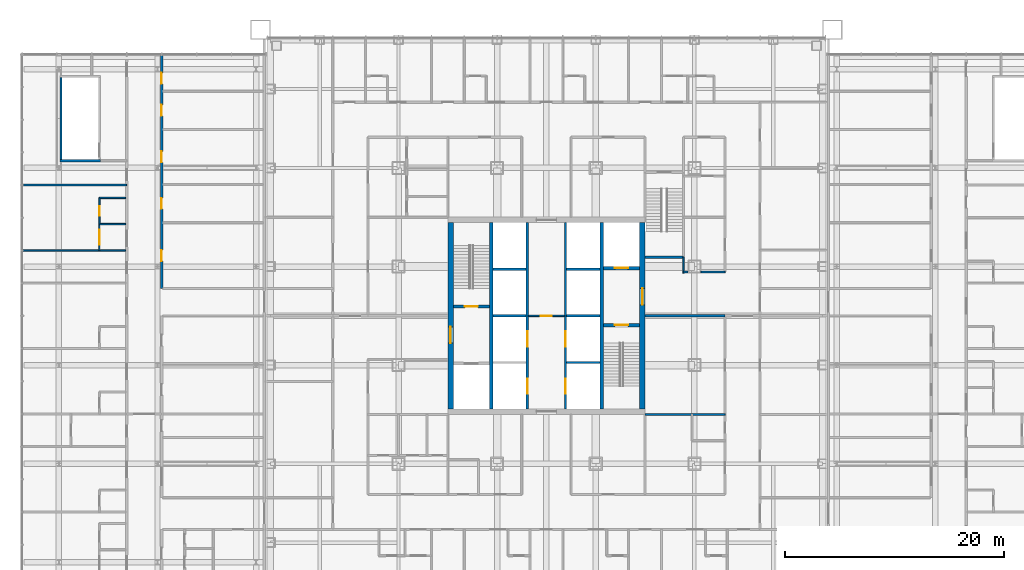
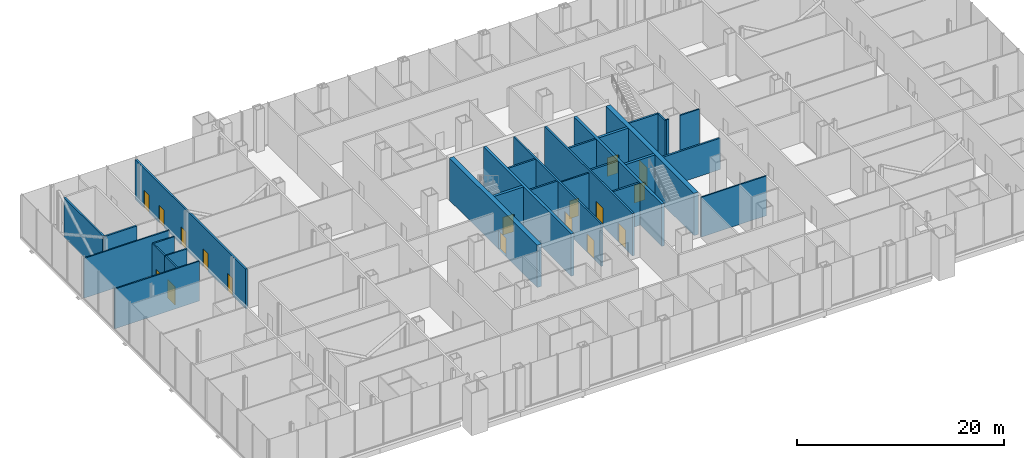
# One storey, part 18 of 28: 30 walls, 17 doors, 17 openings.
"""IFC4 building model written with IfcOpenShell, lengths in metres."""

from ifc_helpers import new_model, si_unit, direction, frame, frame_2d, origin, place, context, subcontext, project, spatial, rectangle, extrude, material, layer, layer_set, type_object, element, fill, save


model = new_model("IFC4")

# Units and contexts
model_context = context("Model", 3, precision=1e-05, world=origin(), true_north=direction((0.0, 1.0)))
body_context = subcontext(model_context, "Body", "Model", "MODEL_VIEW")
ifc_project = project(units=[si_unit("LENGTHUNIT", "METRE"), si_unit("AREAUNIT", "SQUARE_METRE"), si_unit("VOLUMEUNIT", "CUBIC_METRE"), si_unit("PLANEANGLEUNIT", "RADIAN"), si_unit("MASSUNIT", "GRAM", prefix="KILO")], contexts=[model_context])

# Site, building, storey
site_placement = place(None, origin())
site = spatial("IfcSite", under=ifc_project, at=site_placement, CompositionType="ELEMENT")
building_placement = place(site_placement, origin())
building = spatial("IfcBuilding", under=site, at=building_placement, Name="Malebo Sky Hospital", CompositionType="ELEMENT")
storey_placement = place(building_placement, frame((0.0, 0.0, 21.0)))
storey = spatial("IfcBuildingStorey", under=building, at=storey_placement, Name="L04", CompositionType="ELEMENT", Elevation=21.0)

# Wall, openings, doors
ifc_material_1 = material(Name="Concrete C80/95", Category="concrete")
ifc_layer_1 = layer(ifc_material_1, 0.199951171875)
ifc_layer_set_1 = layer_set([ifc_layer_1], Name="CORE INNER WALL 200")
wall_type_1 = type_object("IfcWallType", Name="CORE INNER WALL 200", PredefinedType="SHEAR", material=ifc_layer_set_1)
wall_1_placement = place(storey_placement, frame((58.25, 53.5, 0.0), z_axis=(0.0, 0.0, 1.0), x_axis=(0.0, 1.0, 0.0)))
wall_1 = element("IfcWall", 1, at=wall_1_placement, inside=storey, type_object=wall_type_1, Name="Core wall LW L04", PredefinedType="SHEAR", context=body_context, shape_type="SweptSolid", body=[
    extrude(rectangle(XDim=17.0, YDim=0.199951171875, at=frame_2d((8.5, 0.0))), origin(), (0.0, 0.0, 1.0), 5.0),
])
opening_1_placement = place(wall_1_placement, frame((1.375, 0.0, 0.0)))
opening_1 = element("IfcOpeningElement", 2, at=opening_1_placement, cuts=wall_1, Name="Opening LD1", PredefinedType="OPENING", context=body_context, shape_type="SweptSolid", body=[
    extrude(rectangle(XDim=1.39990234375, YDim=2.199951171875, at=frame_2d((0.699951171875, 1.10009765625))), frame((0.0, 0.10986328125, 0.0), z_axis=(0.0, -1.0, 0.0), x_axis=(1.0, 0.0, 0.0)), (0.0, 0.0, 1.0), 0.219970703125),
])
opening_2_placement = place(wall_1_placement, frame((5.675048828125, 0.0, 0.0)))
opening_2 = element("IfcOpeningElement", 3, at=opening_2_placement, cuts=wall_1, Name="Opening LD1", PredefinedType="OPENING", context=body_context, shape_type="SweptSolid", body=[
    extrude(rectangle(XDim=1.39990234375, YDim=2.199951171875, at=frame_2d((0.699951171875, 1.10009765625))), frame((0.0, 0.10986328125, 0.0), z_axis=(0.0, -1.0, 0.0), x_axis=(1.0, 0.0, 0.0)), (0.0, 0.0, 1.0), 0.219970703125),
])
ifc_material_2 = material(Name="Stainless steel sliding landing door", Category="steel")
door_type_1 = type_object("IfcDoorType", Name="LIFT LANDING DOOR 1400", OperationType="SLIDING_TO_LEFT", PredefinedType="DOOR", material=ifc_material_2)
door_1_placement = place(opening_1_placement, origin())
door_1 = element("IfcDoor", 4, at=door_1_placement, inside=storey, type_object=door_type_1, Name="Lift W1 landing door", OperationType="SLIDING_TO_LEFT", OverallHeight=2.199951171875, OverallWidth=1.39990234375, PredefinedType="DOOR", context=body_context, shape_type="SweptSolid", body=[
    extrude(rectangle(XDim=1.39990234375, YDim=2.199951171875, at=frame_2d((0.699951171875, 1.10009765625))), frame((0.0, 0.02490234375, 0.0), z_axis=(0.0, -1.0, 0.0), x_axis=(1.0, 0.0, 0.0)), (0.0, 0.0, 1.0), 0.050048828125),
])
fill(opening_1, door_1)
door_2_placement = place(opening_2_placement, origin())
door_2 = element("IfcDoor", 5, at=door_2_placement, inside=storey, type_object=door_type_1, Name="Lift W2 landing door", OperationType="SLIDING_TO_LEFT", OverallHeight=2.199951171875, OverallWidth=1.39990234375, PredefinedType="DOOR", context=body_context, shape_type="SweptSolid", body=[
    extrude(rectangle(XDim=1.39990234375, YDim=2.199951171875, at=frame_2d((0.699951171875, 1.10009765625))), frame((0.0, 0.02490234375, 0.0), z_axis=(0.0, -1.0, 0.0), x_axis=(1.0, 0.0, 0.0)), (0.0, 0.0, 1.0), 0.050048828125),
])
fill(opening_2, door_2)

wall_2_placement = place(storey_placement, frame((61.75, 53.5, 0.0), z_axis=(0.0, 0.0, 1.0), x_axis=(0.0, 1.0, 0.0)))
wall_2 = element("IfcWall", 6, at=wall_2_placement, inside=storey, type_object=wall_type_1, Name="Core wall LE L04", PredefinedType="SHEAR", context=body_context, shape_type="SweptSolid", body=[
    extrude(rectangle(XDim=17.0, YDim=0.199951171875, at=frame_2d((8.5, 0.0))), origin(), (0.0, 0.0, 1.0), 5.0),
])
opening_3_placement = place(wall_2_placement, frame((1.375, 0.0, 0.0)))
opening_3 = element("IfcOpeningElement", 7, at=opening_3_placement, cuts=wall_2, Name="Opening LD1", PredefinedType="OPENING", context=body_context, shape_type="SweptSolid", body=[
    extrude(rectangle(XDim=1.39990234375, YDim=2.199951171875, at=frame_2d((0.699951171875, 1.10009765625))), frame((0.0, 0.10986328125, 0.0), z_axis=(0.0, -1.0, 0.0), x_axis=(1.0, 0.0, 0.0)), (0.0, 0.0, 1.0), 0.219970703125),
])
opening_4_placement = place(wall_2_placement, frame((5.675048828125, 0.0, 0.0)))
opening_4 = element("IfcOpeningElement", 8, at=opening_4_placement, cuts=wall_2, Name="Opening LD1", PredefinedType="OPENING", context=body_context, shape_type="SweptSolid", body=[
    extrude(rectangle(XDim=1.39990234375, YDim=2.199951171875, at=frame_2d((0.699951171875, 1.10009765625))), frame((0.0, 0.10986328125, 0.0), z_axis=(0.0, -1.0, 0.0), x_axis=(1.0, 0.0, 0.0)), (0.0, 0.0, 1.0), 0.219970703125),
])
door_3_placement = place(opening_3_placement, origin())
door_3 = element("IfcDoor", 9, at=door_3_placement, inside=storey, type_object=door_type_1, Name="Lift E1 landing door", OperationType="SLIDING_TO_LEFT", OverallHeight=2.199951171875, OverallWidth=1.39990234375, PredefinedType="DOOR", context=body_context, shape_type="SweptSolid", body=[
    extrude(rectangle(XDim=1.39990234375, YDim=2.199951171875, at=frame_2d((0.699951171875, 1.10009765625))), frame((0.0, 0.02490234375, 0.0), z_axis=(0.0, -1.0, 0.0), x_axis=(1.0, 0.0, 0.0)), (0.0, 0.0, 1.0), 0.050048828125),
])
fill(opening_3, door_3)
door_4_placement = place(opening_4_placement, origin())
door_4 = element("IfcDoor", 10, at=door_4_placement, inside=storey, type_object=door_type_1, Name="Lift E2 landing door", OperationType="SLIDING_TO_LEFT", OverallHeight=2.199951171875, OverallWidth=1.39990234375, PredefinedType="DOOR", context=body_context, shape_type="SweptSolid", body=[
    extrude(rectangle(XDim=1.39990234375, YDim=2.199951171875, at=frame_2d((0.699951171875, 1.10009765625))), frame((0.0, 0.02490234375, 0.0), z_axis=(0.0, -1.0, 0.0), x_axis=(1.0, 0.0, 0.0)), (0.0, 0.0, 1.0), 0.050048828125),
])
fill(opening_4, door_4)

# Walls
for number, where, z_axis, x_axis, name in (
    (11, (61.85009765625, 57.75, 0.0), (0.0, 0.0, 1.0), (1.0, 0.0, 0.0), "Core wall SE0 L04"),
    (12, (55.10009765625, 62.0, 0.0), (0.0, 0.0, 1.0), (1.0, 0.0, 0.0), "Core wall SW1 L04"),
    (13, (61.85009765625, 62.0, 0.0), (0.0, 0.0, 1.0), (1.0, 0.0, 0.0), "Core wall SE1 L04"),
    (14, (55.10009765625, 66.25, 0.0), (0.0, 0.0, 1.0), (1.0, 0.0, 0.0), "Core wall SW2 L04"),
    (15, (61.85009765625, 66.25, 0.0), (0.0, 0.0, 1.0), (1.0, 0.0, 0.0), "Core wall SE2 L04"),
):
    element("IfcWall", number, at=place(storey_placement, frame(where, z_axis=z_axis, x_axis=x_axis)), inside=storey, type_object=wall_type_1, Name=name, PredefinedType="SHEAR", context=body_context, shape_type="SweptSolid", body=[
        extrude(rectangle(XDim=3.0498046875, YDim=0.199951171875, at=frame_2d((1.52490234375, 0.0))), origin(), (0.0, 0.0, 1.0), 5.0),
    ])
ifc_layer_2 = layer(ifc_material_1, 0.300048828125)
ifc_layer_set_2 = layer_set([ifc_layer_2], Name="CORE INNER WALL 300")
wall_type_2 = type_object("IfcWallType", Name="CORE INNER WALL 300", PredefinedType="SHEAR", material=ifc_layer_set_2)
for number, where, z_axis, x_axis, name in (
    (16, (54.949951171875, 53.5, 0.0), (0.0, 0.0, 1.0), (0.0, 1.0, 0.0), "Core wall XW L04"),
    (17, (65.050048828125, 53.5, 0.0), (0.0, 0.0, 1.0), (0.0, 1.0, 0.0), "Core wall XE L04"),
):
    element("IfcWall", number, at=place(storey_placement, frame(where, z_axis=z_axis, x_axis=x_axis)), inside=storey, type_object=wall_type_2, Name=name, PredefinedType="SHEAR", context=body_context, shape_type="SweptSolid", body=[
        extrude(rectangle(XDim=17.0, YDim=0.300048828125, at=frame_2d((8.5, 0.0))), origin(), (0.0, 0.0, 1.0), 5.0),
    ])

# Wall, opening, door
wall_3_placement = place(storey_placement, frame((51.5, 62.85009765625, 0.0), z_axis=(0.0, 0.0, 1.0), x_axis=(1.0, 0.0, 0.0)))
wall_3 = element("IfcWall", 18, at=wall_3_placement, inside=storey, type_object=wall_type_2, Name="Core wall W1 L04", PredefinedType="SHEAR", context=body_context, shape_type="SweptSolid", body=[
    extrude(rectangle(XDim=3.300048828125, YDim=0.300048828125, at=frame_2d((1.64990234375, 0.0))), origin(), (0.0, 0.0, 1.0), 5.0),
])
opening_5_placement = place(wall_3_placement, frame((1.050048828125, 0.0, 0.0)))
opening_5 = element("IfcOpeningElement", 19, at=opening_5_placement, cuts=wall_3, Name="Opening D08", PredefinedType="OPENING", context=body_context, shape_type="SweptSolid", body=[
    extrude(rectangle(XDim=1.199951171875, YDim=2.10009765625, at=frame_2d((0.60009765625, 1.050048828125))), frame((0.0, 0.159912109375, 0.0), z_axis=(0.0, -1.0, 0.0), x_axis=(1.0, 0.0, 0.0)), (0.0, 0.0, 1.0), 0.320068359375),
])
ifc_material_3 = material(Name="Hardwood-faced door leaf in steel frame", Category="steel")
door_type_2 = type_object("IfcDoorType", Name="STAIR DOOR 1200", OperationType="SINGLE_SWING_LEFT", PredefinedType="DOOR", material=ifc_material_3)
door_5_placement = place(opening_5_placement, origin())
door_5 = element("IfcDoor", 20, at=door_5_placement, inside=storey, type_object=door_type_2, Name="Stair S1 door", OperationType="SINGLE_SWING_LEFT", OverallHeight=2.10009765625, OverallWidth=1.199951171875, PredefinedType="DOOR", context=body_context, shape_type="SweptSolid", body=[
    extrude(rectangle(XDim=1.199951171875, YDim=2.10009765625, at=frame_2d((0.60009765625, 1.050048828125))), frame((0.0, 0.02490234375, 0.0), z_axis=(0.0, -1.0, 0.0), x_axis=(1.0, 0.0, 0.0)), (0.0, 0.0, 1.0), 0.050048828125),
])
fill(opening_5, door_5)

wall_4_placement = place(storey_placement, frame((65.199951171875, 61.14990234375, 0.0), z_axis=(0.0, 0.0, 1.0), x_axis=(1.0, 0.0, 0.0)))
wall_4 = element("IfcWall", 21, at=wall_4_placement, inside=storey, type_object=wall_type_2, Name="Core wall E1 L04", PredefinedType="SHEAR", context=body_context, shape_type="SweptSolid", body=[
    extrude(rectangle(XDim=3.300048828125, YDim=0.300048828125, at=frame_2d((1.64990234375, 0.0))), origin(), (0.0, 0.0, 1.0), 5.0),
])
opening_6_placement = place(wall_4_placement, frame((1.050048828125, 0.0, 0.0)))
opening_6 = element("IfcOpeningElement", 22, at=opening_6_placement, cuts=wall_4, Name="Opening D08", PredefinedType="OPENING", context=body_context, shape_type="SweptSolid", body=[
    extrude(rectangle(XDim=1.199951171875, YDim=2.10009765625, at=frame_2d((0.60009765625, 1.050048828125))), frame((0.0, 0.159912109375, 0.0), z_axis=(0.0, -1.0, 0.0), x_axis=(1.0, 0.0, 0.0)), (0.0, 0.0, 1.0), 0.320068359375),
])
door_6_placement = place(opening_6_placement, origin())
door_6 = element("IfcDoor", 23, at=door_6_placement, inside=storey, type_object=door_type_2, Name="Stair S2 door", OperationType="SINGLE_SWING_LEFT", OverallHeight=2.10009765625, OverallWidth=1.199951171875, PredefinedType="DOOR", context=body_context, shape_type="SweptSolid", body=[
    extrude(rectangle(XDim=1.199951171875, YDim=2.10009765625, at=frame_2d((0.60009765625, 1.050048828125))), frame((0.0, 0.02490234375, 0.0), z_axis=(0.0, -1.0, 0.0), x_axis=(1.0, 0.0, 0.0)), (0.0, 0.0, 1.0), 0.050048828125),
])
fill(opening_6, door_6)

wall_5_placement = place(storey_placement, frame((65.199951171875, 66.35009765625, 0.0), z_axis=(0.0, 0.0, 1.0), x_axis=(1.0, 0.0, 0.0)))
wall_5 = element("IfcWall", 24, at=wall_5_placement, inside=storey, type_object=wall_type_2, Name="Core wall E2 L04", PredefinedType="SHEAR", context=body_context, shape_type="SweptSolid", body=[
    extrude(rectangle(XDim=3.300048828125, YDim=0.300048828125, at=frame_2d((1.64990234375, 0.0))), origin(), (0.0, 0.0, 1.0), 5.0),
])
opening_7_placement = place(wall_5_placement, frame((1.050048828125, 0.0, 0.0)))
opening_7 = element("IfcOpeningElement", 25, at=opening_7_placement, cuts=wall_5, Name="Opening LD2", PredefinedType="OPENING", context=body_context, shape_type="SweptSolid", body=[
    extrude(rectangle(XDim=1.199951171875, YDim=2.199951171875, at=frame_2d((0.60009765625, 1.10009765625))), frame((0.0, 0.159912109375, 0.0), z_axis=(0.0, -1.0, 0.0), x_axis=(1.0, 0.0, 0.0)), (0.0, 0.0, 1.0), 0.320068359375),
])
door_type_3 = type_object("IfcDoorType", Name="FIRE-FIGHTING LIFT LANDING DOOR 1200", OperationType="SLIDING_TO_LEFT", PredefinedType="DOOR", material=ifc_material_2)
door_7_placement = place(opening_7_placement, origin())
door_7 = element("IfcDoor", 26, at=door_7_placement, inside=storey, type_object=door_type_3, Name="Lift FL2 landing door", OperationType="SLIDING_TO_LEFT", OverallHeight=2.199951171875, OverallWidth=1.199951171875, PredefinedType="DOOR", context=body_context, shape_type="SweptSolid", body=[
    extrude(rectangle(XDim=1.199951171875, YDim=2.199951171875, at=frame_2d((0.60009765625, 1.10009765625))), frame((0.0, 0.02490234375, 0.0), z_axis=(0.0, -1.0, 0.0), x_axis=(1.0, 0.0, 0.0)), (0.0, 0.0, 1.0), 0.050048828125),
])
fill(opening_7, door_7)

ifc_layer_3 = layer(ifc_material_1, 0.5)
ifc_layer_set_3 = layer_set([ifc_layer_3], Name="CORE WALL 500")
wall_type_3 = type_object("IfcWallType", Name="CORE WALL 500", PredefinedType="SHEAR", material=ifc_layer_set_3)
wall_6_placement = place(storey_placement, frame((51.25, 53.5, 0.0), z_axis=(0.0, 0.0, 1.0), x_axis=(0.0, 1.0, 0.0)))
wall_6 = element("IfcWall", 27, at=wall_6_placement, inside=storey, type_object=wall_type_3, Name="Core wall W L04", PredefinedType="SHEAR", context=body_context, shape_type="SweptSolid", body=[
    extrude(rectangle(XDim=17.0, YDim=0.5, at=frame_2d((8.5, 0.0))), origin(), (0.0, 0.0, 1.0), 5.0),
])
opening_8_placement = place(wall_6_placement, frame((6.0, 0.0, 0.0)))
opening_8 = element("IfcOpeningElement", 28, at=opening_8_placement, cuts=wall_6, Name="Opening D07", PredefinedType="OPENING", context=body_context, shape_type="SweptSolid", body=[
    extrude(rectangle(XDim=1.5, YDim=2.199951171875, at=frame_2d((0.75, 1.10009765625))), frame((0.0, 0.260009765625, 0.0), z_axis=(0.0, -1.0, 0.0), x_axis=(1.0, 0.0, 0.0)), (0.0, 0.0, 1.0), 0.52001953125),
])
door_type_4 = type_object("IfcDoorType", Name="FIRE-FIGHTING LOBBY DOOR PAIR 1500", OperationType="DOUBLE_DOOR_SINGLE_SWING", PredefinedType="DOOR", material=ifc_material_3)
door_8_placement = place(opening_8_placement, origin())
door_8 = element("IfcDoor", 29, at=door_8_placement, inside=storey, type_object=door_type_4, Name="Fire-fighting lobby door west", OperationType="DOUBLE_DOOR_SINGLE_SWING", OverallHeight=2.199951171875, OverallWidth=1.5, PredefinedType="DOOR", context=body_context, shape_type="SweptSolid", body=[
    extrude(rectangle(XDim=1.5, YDim=2.199951171875, at=frame_2d((0.75, 1.10009765625))), frame((0.0, 0.02490234375, 0.0), z_axis=(0.0, -1.0, 0.0), x_axis=(1.0, 0.0, 0.0)), (0.0, 0.0, 1.0), 0.050048828125),
])
fill(opening_8, door_8)

wall_7_placement = place(storey_placement, frame((68.75, 53.5, 0.0), z_axis=(0.0, 0.0, 1.0), x_axis=(0.0, 1.0, 0.0)))
wall_7 = element("IfcWall", 30, at=wall_7_placement, inside=storey, type_object=wall_type_3, Name="Core wall E L04", PredefinedType="SHEAR", context=body_context, shape_type="SweptSolid", body=[
    extrude(rectangle(XDim=17.0, YDim=0.5, at=frame_2d((8.5, 0.0))), origin(), (0.0, 0.0, 1.0), 5.0),
])
opening_9_placement = place(wall_7_placement, frame((9.5, 0.0, 0.0)))
opening_9 = element("IfcOpeningElement", 31, at=opening_9_placement, cuts=wall_7, Name="Opening D07", PredefinedType="OPENING", context=body_context, shape_type="SweptSolid", body=[
    extrude(rectangle(XDim=1.5, YDim=2.199951171875, at=frame_2d((0.75, 1.10009765625))), frame((0.0, 0.260009765625, 0.0), z_axis=(0.0, -1.0, 0.0), x_axis=(1.0, 0.0, 0.0)), (0.0, 0.0, 1.0), 0.52001953125),
])
door_9_placement = place(opening_9_placement, origin())
door_9 = element("IfcDoor", 32, at=door_9_placement, inside=storey, type_object=door_type_4, Name="Fire-fighting lobby door east", OperationType="DOUBLE_DOOR_SINGLE_SWING", OverallHeight=2.199951171875, OverallWidth=1.5, PredefinedType="DOOR", context=body_context, shape_type="SweptSolid", body=[
    extrude(rectangle(XDim=1.5, YDim=2.199951171875, at=frame_2d((0.75, 1.10009765625))), frame((0.0, 0.02490234375, 0.0), z_axis=(0.0, -1.0, 0.0), x_axis=(1.0, 0.0, 0.0)), (0.0, 0.0, 1.0), 0.050048828125),
])
fill(opening_9, door_9)

# Wall, openings, doors
ifc_material_4 = material(Name="Gypsum board on steel studs", Category="steel")
ifc_layer_4 = layer(ifc_material_4, 0.199951171875)
ifc_layer_set_4 = layer_set([ifc_layer_4], Name="CORRIDOR WALL 200")
wall_type_4 = type_object("IfcWallType", Name="CORRIDOR WALL 200", PredefinedType="PARTITIONING", material=ifc_layer_set_4)
wall_8_placement = place(storey_placement, frame((24.882080078125, 64.5, 0.0), z_axis=(0.0, 0.0, 1.0), x_axis=(0.0, 1.0, 0.0)))
wall_8 = element("IfcWall", 33, at=wall_8_placement, inside=storey, type_object=wall_type_4, Name="Corridor Wall 200 WWC2C", PredefinedType="PARTITIONING", context=body_context, shape_type="SweptSolid", body=[
    extrude(rectangle(XDim=21.35009765625, YDim=0.199951171875, at=frame_2d((10.675048828125, 0.0))), origin(), (0.0, 0.0, 1.0), 4.699951171875),
])
opening_10_placement = place(wall_8_placement, frame((2.5, 0.0, 0.0)))
opening_10 = element("IfcOpeningElement", 34, at=opening_10_placement, cuts=wall_8, Name="Opening D03", PredefinedType="OPENING", context=body_context, shape_type="SweptSolid", body=[
    extrude(rectangle(XDim=1.0, YDim=2.10009765625, at=frame_2d((0.5, 1.050048828125))), frame((0.0, 0.10986328125, 0.0), z_axis=(0.0, -1.0, 0.0), x_axis=(1.0, 0.0, 0.0)), (0.0, 0.0, 1.0), 0.219970703125),
])
opening_11_placement = place(wall_8_placement, frame((7.25, 0.0, 0.0)))
opening_11 = element("IfcOpeningElement", 35, at=opening_11_placement, cuts=wall_8, Name="Opening D03", PredefinedType="OPENING", context=body_context, shape_type="SweptSolid", body=[
    extrude(rectangle(XDim=1.0, YDim=2.10009765625, at=frame_2d((0.5, 1.050048828125))), frame((0.0, 0.10986328125, 0.0), z_axis=(0.0, -1.0, 0.0), x_axis=(1.0, 0.0, 0.0)), (0.0, 0.0, 1.0), 0.219970703125),
])
opening_12_placement = place(wall_8_placement, frame((11.5, 0.0, 0.0)))
opening_12 = element("IfcOpeningElement", 36, at=opening_12_placement, cuts=wall_8, Name="Opening D03", PredefinedType="OPENING", context=body_context, shape_type="SweptSolid", body=[
    extrude(rectangle(XDim=1.0, YDim=2.10009765625, at=frame_2d((0.5, 1.050048828125))), frame((0.0, 0.10986328125, 0.0), z_axis=(0.0, -1.0, 0.0), x_axis=(1.0, 0.0, 0.0)), (0.0, 0.0, 1.0), 0.219970703125),
])
opening_13_placement = place(wall_8_placement, frame((15.75, 0.0, 0.0)))
opening_13 = element("IfcOpeningElement", 37, at=opening_13_placement, cuts=wall_8, Name="Opening D03", PredefinedType="OPENING", context=body_context, shape_type="SweptSolid", body=[
    extrude(rectangle(XDim=1.0, YDim=2.10009765625, at=frame_2d((0.5, 1.050048828125))), frame((0.0, 0.10986328125, 0.0), z_axis=(0.0, -1.0, 0.0), x_axis=(1.0, 0.0, 0.0)), (0.0, 0.0, 1.0), 0.219970703125),
])
opening_14_placement = place(wall_8_placement, frame((18.675048828125, 0.0, 0.0)))
opening_14 = element("IfcOpeningElement", 38, at=opening_14_placement, cuts=wall_8, Name="Opening D03", PredefinedType="OPENING", context=body_context, shape_type="SweptSolid", body=[
    extrude(rectangle(XDim=1.0, YDim=2.10009765625, at=frame_2d((0.5, 1.050048828125))), frame((0.0, 0.10986328125, 0.0), z_axis=(0.0, -1.0, 0.0), x_axis=(1.0, 0.0, 0.0)), (0.0, 0.0, 1.0), 0.219970703125),
])
door_type_5 = type_object("IfcDoorType", Name="ROOM DOOR 1000", OperationType="SINGLE_SWING_LEFT", PredefinedType="DOOR", material=ifc_material_3)
door_10_placement = place(opening_10_placement, origin())
door_10 = element("IfcDoor", 39, at=door_10_placement, inside=storey, type_object=door_type_5, Name="Relatives room door", OperationType="SINGLE_SWING_LEFT", OverallHeight=2.10009765625, OverallWidth=1.0, PredefinedType="DOOR", context=body_context, shape_type="SweptSolid", body=[
    extrude(rectangle(XDim=1.0, YDim=2.10009765625, at=frame_2d((0.5, 1.050048828125))), frame((0.0, 0.02490234375, 0.0), z_axis=(0.0, -1.0, 0.0), x_axis=(1.0, 0.0, 0.0)), (0.0, 0.0, 1.0), 0.050048828125),
])
fill(opening_10, door_10)
door_11_placement = place(opening_11_placement, origin())
door_11 = element("IfcDoor", 40, at=door_11_placement, inside=storey, type_object=door_type_5, Name="Relatives overnight room door", OperationType="SINGLE_SWING_LEFT", OverallHeight=2.10009765625, OverallWidth=1.0, PredefinedType="DOOR", context=body_context, shape_type="SweptSolid", body=[
    extrude(rectangle(XDim=1.0, YDim=2.10009765625, at=frame_2d((0.5, 1.050048828125))), frame((0.0, 0.02490234375, 0.0), z_axis=(0.0, -1.0, 0.0), x_axis=(1.0, 0.0, 0.0)), (0.0, 0.0, 1.0), 0.050048828125),
])
fill(opening_11, door_11)
door_12_placement = place(opening_12_placement, origin())
door_12 = element("IfcDoor", 41, at=door_12_placement, inside=storey, type_object=door_type_5, Name="Dirty utility room door", OperationType="SINGLE_SWING_LEFT", OverallHeight=2.10009765625, OverallWidth=1.0, PredefinedType="DOOR", context=body_context, shape_type="SweptSolid", body=[
    extrude(rectangle(XDim=1.0, YDim=2.10009765625, at=frame_2d((0.5, 1.050048828125))), frame((0.0, 0.02490234375, 0.0), z_axis=(0.0, -1.0, 0.0), x_axis=(1.0, 0.0, 0.0)), (0.0, 0.0, 1.0), 0.050048828125),
])
fill(opening_12, door_12)
door_13_placement = place(opening_13_placement, origin())
door_13 = element("IfcDoor", 42, at=door_13_placement, inside=storey, type_object=door_type_5, Name="Staff rest room door", OperationType="SINGLE_SWING_LEFT", OverallHeight=2.10009765625, OverallWidth=1.0, PredefinedType="DOOR", context=body_context, shape_type="SweptSolid", body=[
    extrude(rectangle(XDim=1.0, YDim=2.10009765625, at=frame_2d((0.5, 1.050048828125))), frame((0.0, 0.02490234375, 0.0), z_axis=(0.0, -1.0, 0.0), x_axis=(1.0, 0.0, 0.0)), (0.0, 0.0, 1.0), 0.050048828125),
])
fill(opening_13, door_13)
door_14_placement = place(opening_14_placement, origin())
door_14 = element("IfcDoor", 43, at=door_14_placement, inside=storey, type_object=door_type_5, Name="ICU linen store door", OperationType="SINGLE_SWING_LEFT", OverallHeight=2.10009765625, OverallWidth=1.0, PredefinedType="DOOR", context=body_context, shape_type="SweptSolid", body=[
    extrude(rectangle(XDim=1.0, YDim=2.10009765625, at=frame_2d((0.5, 1.050048828125))), frame((0.0, 0.02490234375, 0.0), z_axis=(0.0, -1.0, 0.0), x_axis=(1.0, 0.0, 0.0)), (0.0, 0.0, 1.0), 0.050048828125),
])
fill(opening_14, door_14)

# Walls
ifc_layer_5 = layer(ifc_material_4, 0.14990234375)
ifc_layer_set_5 = layer_set([ifc_layer_5], Name="PARTITION 150")
wall_type_5 = type_object("IfcWallType", Name="PARTITION 150", PredefinedType="PARTITIONING", material=ifc_layer_set_5)
wall_9_placement = place(storey_placement, frame((72.5, 66.0, 0.0), z_axis=(0.0, 0.0, 1.0), x_axis=(1.0, 0.0, 0.0)))
element("IfcWall", 44, at=wall_9_placement, inside=storey, type_object=wall_type_5, Name="Partition 150 ESPA", PredefinedType="PARTITIONING", context=body_context, shape_type="SweptSolid", body=[
    extrude(rectangle(XDim=0.39990234375, YDim=0.14990234375, at=frame_2d((0.199951171875, 0.0))), origin(), (0.0, 0.0, 1.0), 4.699951171875),
])
wall_10_placement = place(storey_placement, frame((74.10009765625, 66.0, 0.0), z_axis=(0.0, 0.0, 1.0), x_axis=(1.0, 0.0, 0.0)))
element("IfcWall", 45, at=wall_10_placement, inside=storey, type_object=wall_type_5, Name="Partition 150 ESPA", PredefinedType="PARTITIONING", context=body_context, shape_type="SweptSolid", body=[
    extrude(rectangle(XDim=2.199951171875, YDim=0.14990234375, at=frame_2d((1.10009765625, 0.0))), origin(), (0.0, 0.0, 1.0), 4.699951171875),
])
wall_11_placement = place(storey_placement, frame((69.0, 53.0, 0.0), z_axis=(0.0, 0.0, 1.0), x_axis=(1.0, 0.0, 0.0)))
element("IfcWall", 46, at=wall_11_placement, inside=storey, type_object=wall_type_5, Name="Partition 150 ESP9", PredefinedType="PARTITIONING", context=body_context, shape_type="SweptSolid", body=[
    extrude(rectangle(XDim=7.300048828125, YDim=0.14990234375, at=frame_2d((3.64990234375, 0.0))), origin(), (0.0, 0.0, 1.0), 4.699951171875),
])

# Wall, opening, door
wall_12_placement = place(storey_placement, frame((58.35009765625, 62.0, 0.0), z_axis=(0.0, 0.0, 1.0), x_axis=(1.0, 0.0, 0.0)))
wall_12 = element("IfcWall", 47, at=wall_12_placement, inside=storey, type_object=wall_type_5, Name="Partition 150 LBN", PredefinedType="PARTITIONING", context=body_context, shape_type="SweptSolid", body=[
    extrude(rectangle(XDim=3.2998046875, YDim=0.14990234375, at=frame_2d((1.64990234375, 0.0))), origin(), (0.0, 0.0, 1.0), 4.699951171875),
])
opening_15_placement = place(wall_12_placement, frame((1.14990234375, 0.0, 0.0)))
opening_15 = element("IfcOpeningElement", 48, at=opening_15_placement, cuts=wall_12, Name="Opening D03", PredefinedType="OPENING", context=body_context, shape_type="SweptSolid", body=[
    extrude(rectangle(XDim=1.0, YDim=2.10009765625, at=frame_2d((0.5, 1.050048828125))), frame((0.0, 0.0849609375, 0.0), z_axis=(0.0, -1.0, 0.0), x_axis=(1.0, 0.0, 0.0)), (0.0, 0.0, 1.0), 0.169921875),
])
door_15_placement = place(opening_15_placement, origin())
door_15 = element("IfcDoor", 49, at=door_15_placement, inside=storey, type_object=door_type_5, Name="Linen store door", OperationType="SINGLE_SWING_LEFT", OverallHeight=2.10009765625, OverallWidth=1.0, PredefinedType="DOOR", context=body_context, shape_type="SweptSolid", body=[
    extrude(rectangle(XDim=1.0, YDim=2.10009765625, at=frame_2d((0.5, 1.050048828125))), frame((0.0, 0.02490234375, 0.0), z_axis=(0.0, -1.0, 0.0), x_axis=(1.0, 0.0, 0.0)), (0.0, 0.0, 1.0), 0.050048828125),
])
fill(opening_15, door_15)

# Walls
wall_13_placement = place(storey_placement, frame((12.14990234375, 73.9375, 0.0), z_axis=(0.0, 0.0, 1.0), x_axis=(1.0, 0.0, 0.0)))
element("IfcWall", 50, at=wall_13_placement, inside=storey, type_object=wall_type_5, Name="Partition 150 WSP", PredefinedType="PARTITIONING", context=body_context, shape_type="SweptSolid", body=[
    extrude(rectangle(XDim=9.543212890625, YDim=0.14990234375, at=frame_2d((4.771484375, 0.0))), origin(), (0.0, 0.0, 1.0), 4.699951171875),
])
wall_14_placement = place(storey_placement, frame((12.14990234375, 67.96875, 0.0), z_axis=(0.0, 0.0, 1.0), x_axis=(1.0, 0.0, 0.0)))
element("IfcWall", 51, at=wall_14_placement, inside=storey, type_object=wall_type_5, Name="Partition 150 WOH05", PredefinedType="PARTITIONING", context=body_context, shape_type="SweptSolid", body=[
    extrude(rectangle(XDim=9.443115234375, YDim=0.14990234375, at=frame_2d((4.7216796875, 0.0))), origin(), (0.0, 0.0, 1.0), 4.699951171875),
])

# Wall, opening, door
wall_15_placement = place(storey_placement, frame((19.193115234375, 70.368896484375, 0.0), z_axis=(0.0, 0.0, 1.0), x_axis=(0.0, 1.0, 0.0)))
wall_15 = element("IfcWall", 52, at=wall_15_placement, inside=storey, type_object=wall_type_5, Name="Partition 150 WOX06F", PredefinedType="PARTITIONING", context=body_context, shape_type="SweptSolid", body=[
    extrude(rectangle(XDim=2.39990234375, YDim=0.14990234375, at=frame_2d((1.199951171875, 0.0))), origin(), (0.0, 0.0, 1.0), 4.699951171875),
])
opening_16_placement = place(wall_15_placement, frame((0.75, 0.0, 0.0)))
opening_16 = element("IfcOpeningElement", 53, at=opening_16_placement, cuts=wall_15, Name="Opening D02", PredefinedType="OPENING", context=body_context, shape_type="SweptSolid", body=[
    extrude(rectangle(XDim=0.89990234375, YDim=2.10009765625, at=frame_2d((0.449951171875, 1.050048828125))), frame((0.0, 0.0849609375, 0.0), z_axis=(0.0, -1.0, 0.0), x_axis=(1.0, 0.0, 0.0)), (0.0, 0.0, 1.0), 0.169921875),
])
door_type_6 = type_object("IfcDoorType", Name="EN-SUITE DOOR 900", OperationType="SINGLE_SWING_LEFT", PredefinedType="DOOR", material=ifc_material_3)
door_16_placement = place(opening_16_placement, origin())
door_16 = element("IfcDoor", 54, at=door_16_placement, inside=storey, type_object=door_type_6, Name="En-suite door", OperationType="SINGLE_SWING_LEFT", OverallHeight=2.10009765625, OverallWidth=0.89990234375, PredefinedType="DOOR", context=body_context, shape_type="SweptSolid", body=[
    extrude(rectangle(XDim=0.89990234375, YDim=2.10009765625, at=frame_2d((0.449951171875, 1.050048828125))), frame((0.0, 0.02490234375, 0.0), z_axis=(0.0, -1.0, 0.0), x_axis=(1.0, 0.0, 0.0)), (0.0, 0.0, 1.0), 0.050048828125),
])
fill(opening_16, door_16)

# Walls
wall_16_placement = place(storey_placement, frame((21.593017578125, 72.768798828125, 0.0), z_axis=(0.0, 0.0, 1.0), x_axis=(-1.0, 0.0, 0.0)))
element("IfcWall", 55, at=wall_16_placement, inside=storey, type_object=wall_type_5, Name="Partition 150 WOX06S", PredefinedType="PARTITIONING", context=body_context, shape_type="SweptSolid", body=[
    extrude(rectangle(XDim=2.39990234375, YDim=0.14990234375, at=frame_2d((1.199951171875, 0.0))), origin(), (0.0, 0.0, 1.0), 4.699951171875),
])
wall_17_placement = place(storey_placement, frame((72.5, 65.89990234375, 0.0), z_axis=(0.0, 0.0, 1.0), x_axis=(0.0, 1.0, 0.0)))
element("IfcWall", 56, at=wall_17_placement, inside=storey, type_object=wall_type_5, Name="Partition 150 ST3C", PredefinedType="PARTITIONING", context=body_context, shape_type="SweptSolid", body=[
    extrude(rectangle(XDim=1.4501953125, YDim=0.14990234375, at=frame_2d((0.72509765625, 0.0))), origin(), (0.0, 0.0, 1.0), 4.699951171875),
])

# Wall, opening, door
ifc_material_5 = material(Name="Sealed gypsum board on steel studs, taped to the slab", Category="steel")
ifc_layer_6 = layer(ifc_material_5, 0.14990234375)
ifc_layer_set_6 = layer_set([ifc_layer_6], Name="SEALED ISOLATION PARTITION 150")
wall_type_6 = type_object("IfcWallType", Name="SEALED ISOLATION PARTITION 150", PredefinedType="PARTITIONING", material=ifc_layer_set_6)
wall_18_placement = place(storey_placement, frame((19.193115234375, 67.96875, 0.0), z_axis=(0.0, 0.0, 1.0), x_axis=(0.0, 1.0, 0.0)))
wall_18 = element("IfcWall", 57, at=wall_18_placement, inside=storey, type_object=wall_type_6, Name="Sealed Isolation Partition 150 WOX05F", PredefinedType="PARTITIONING", context=body_context, shape_type="SweptSolid", body=[
    extrude(rectangle(XDim=2.400146484375, YDim=0.14990234375, at=frame_2d((1.2001953125, 0.0))), origin(), (0.0, 0.0, 1.0), 4.699951171875),
])
opening_17_placement = place(wall_18_placement, frame((0.5, 0.0, 0.0)))
opening_17 = element("IfcOpeningElement", 58, at=opening_17_placement, cuts=wall_18, Name="Opening D29", PredefinedType="OPENING", context=body_context, shape_type="SweptSolid", body=[
    extrude(rectangle(XDim=1.39990234375, YDim=2.199951171875, at=frame_2d((0.699951171875, 1.10009765625))), frame((0.0, 0.0849609375, 0.0), z_axis=(0.0, -1.0, 0.0), x_axis=(1.0, 0.0, 0.0)), (0.0, 0.0, 1.0), 0.169921875),
])
ifc_material_6 = material(Name="Hardwood-faced door leaf with perimeter seals in steel frame", Category="steel")
door_type_7 = type_object("IfcDoorType", Name="SEALED ISOLATION BED DOOR PAIR 1400", OperationType="DOUBLE_DOOR_SINGLE_SWING", PredefinedType="DOOR", material=ifc_material_6)
door_17_placement = place(opening_17_placement, origin())
door_17 = element("IfcDoor", 59, at=door_17_placement, inside=storey, type_object=door_type_7, Name="Isolation room door", OperationType="DOUBLE_DOOR_SINGLE_SWING", OverallHeight=2.199951171875, OverallWidth=1.39990234375, PredefinedType="DOOR", context=body_context, shape_type="SweptSolid", body=[
    extrude(rectangle(XDim=1.39990234375, YDim=2.199951171875, at=frame_2d((0.699951171875, 1.10009765625))), frame((0.0, 0.02490234375, 0.0), z_axis=(0.0, -1.0, 0.0), x_axis=(1.0, 0.0, 0.0)), (0.0, 0.0, 1.0), 0.050048828125),
])
fill(opening_17, door_17)

# Walls
wall_19_placement = place(storey_placement, frame((21.593017578125, 70.368896484375, 0.0), z_axis=(0.0, 0.0, 1.0), x_axis=(-1.0, 0.0, 0.0)))
element("IfcWall", 60, at=wall_19_placement, inside=storey, type_object=wall_type_6, Name="Sealed Isolation Partition 150 WOX05S", PredefinedType="PARTITIONING", context=body_context, shape_type="SweptSolid", body=[
    extrude(rectangle(XDim=2.39990234375, YDim=0.14990234375, at=frame_2d((1.199951171875, 0.0))), origin(), (0.0, 0.0, 1.0), 4.699951171875),
])
ifc_material_7 = material(Name="Concrete blockwork", Category="masonry")
ifc_layer_7 = layer(ifc_material_7, 0.199951171875)
ifc_layer_set_7 = layer_set([ifc_layer_7], Name="SMOKE BARRIER WALL 200")
wall_type_7 = type_object("IfcWallType", Name="SMOKE BARRIER WALL 200", PredefinedType="SOLIDWALL", material=ifc_layer_set_7)
wall_20_placement = place(storey_placement, frame((69.0, 62.0, 0.0), z_axis=(0.0, 0.0, 1.0), x_axis=(1.0, 0.0, 0.0)))
element("IfcWall", 61, at=wall_20_placement, inside=storey, type_object=wall_type_7, Name="Smoke Barrier Wall 200 ESPB", PredefinedType="SOLIDWALL", context=body_context, shape_type="SweptSolid", body=[
    extrude(rectangle(XDim=7.300048828125, YDim=0.199951171875, at=frame_2d((3.64990234375, 0.0))), origin(), (0.0, 0.0, 1.0), 3.699951171875),
])
ifc_material_8 = material(Name="Concrete C40/50", Category="concrete")
ifc_layer_8 = layer(ifc_material_8, 0.199951171875)
ifc_layer_set_8 = layer_set([ifc_layer_8], Name="STAIR ENCLOSURE WALL 200")
wall_type_8 = type_object("IfcWallType", Name="STAIR ENCLOSURE WALL 200", PredefinedType="SOLIDWALL", material=ifc_layer_set_8)
wall_21_placement = place(storey_placement, frame((15.60009765625, 76.14990234375, 0.0), z_axis=(0.0, 0.0, 1.0), x_axis=(1.0, 0.0, 0.0)))
element("IfcWall", 62, at=wall_21_placement, inside=storey, type_object=wall_type_8, Name="Stair Enclosure Wall 200 WSS", PredefinedType="SOLIDWALL", context=body_context, shape_type="SweptSolid", body=[
    extrude(rectangle(XDim=3.699951171875, YDim=0.199951171875, at=frame_2d((1.85009765625, 0.0))), origin(), (0.0, 0.0, 1.0), 4.699951171875),
])
wall_22_placement = place(storey_placement, frame((15.699951171875, 76.25, 0.0), z_axis=(0.0, 0.0, 1.0), x_axis=(0.0, 1.0, 0.0)))
element("IfcWall", 63, at=wall_22_placement, inside=storey, type_object=wall_type_8, Name="Stair Enclosure Wall 200 WSW", PredefinedType="SOLIDWALL", context=body_context, shape_type="SweptSolid", body=[
    extrude(rectangle(XDim=7.5, YDim=0.199951171875, at=frame_2d((3.75, 0.0))), origin(), (0.0, 0.0, 1.0), 4.699951171875),
])
wall_23_placement = place(storey_placement, frame((69.0, 67.35009765625, 0.0), z_axis=(0.0, 0.0, 1.0), x_axis=(1.0, 0.0, 0.0)))
element("IfcWall", 64, at=wall_23_placement, inside=storey, type_object=wall_type_8, Name="Stair Enclosure Wall 200 ST3S", PredefinedType="SOLIDWALL", context=body_context, shape_type="SweptSolid", body=[
    extrude(rectangle(XDim=3.5, YDim=0.199951171875, at=frame_2d((1.75, 0.0))), origin(), (0.0, 0.0, 1.0), 4.699951171875),
])

save(model, "model.ifc")
